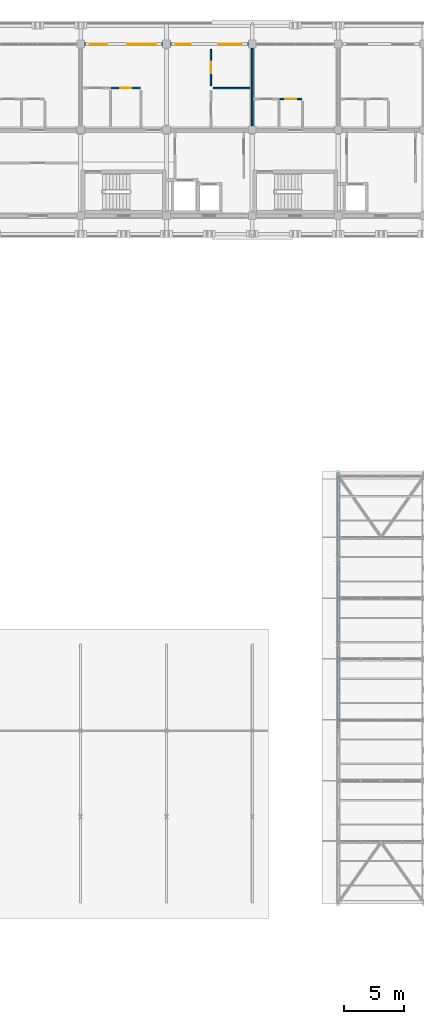
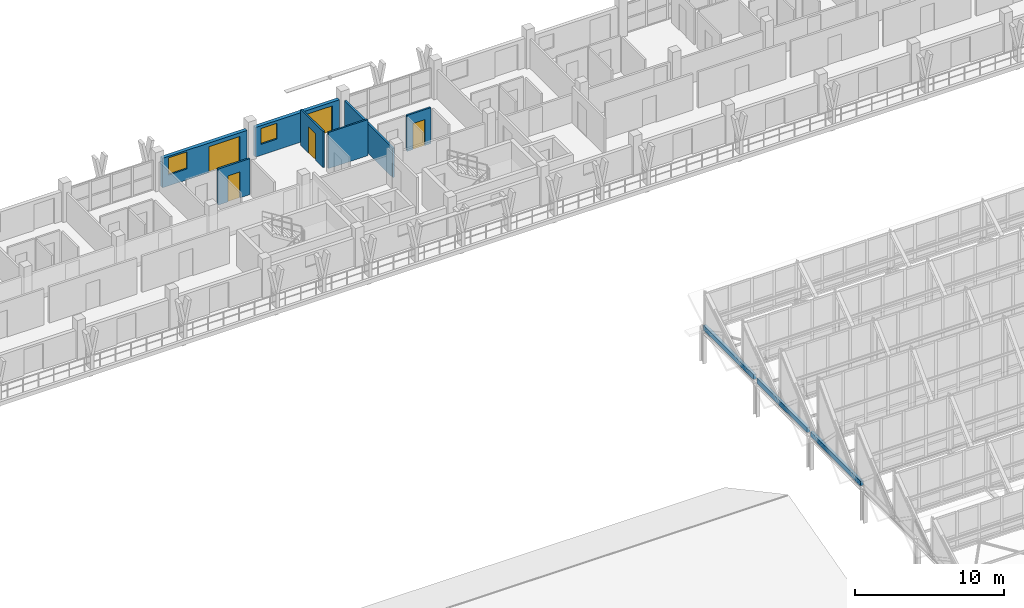
# One storey, part 123 of 157: 10 walls, 5 doors, 2 windows, 7 openings.
"""IFC4 building model written with IfcOpenShell, lengths in metres."""

from ifc_helpers import new_model, si_unit, direction, frame, frame_2d, origin, place, context, subcontext, project, spatial, rectangle, extrude, material, layer, layer_set, type_object, element, fill, save


model = new_model("IFC4")

# Units and contexts
model_context = context("Model", 3, precision=1e-05, world=origin(), true_north=direction((0.0, 1.0)))
body_context = subcontext(model_context, "Body", "Model", "MODEL_VIEW")
ifc_project = project(units=[si_unit("LENGTHUNIT", "METRE"), si_unit("AREAUNIT", "SQUARE_METRE"), si_unit("VOLUMEUNIT", "CUBIC_METRE"), si_unit("PLANEANGLEUNIT", "RADIAN"), si_unit("MASSUNIT", "GRAM", prefix="KILO")], contexts=[model_context])

# Site, building, storey
site_placement = place(None, origin())
site = spatial("IfcSite", under=ifc_project, at=site_placement, CompositionType="ELEMENT")
building_placement = place(site_placement, origin())
building = spatial("IfcBuilding", under=site, at=building_placement, Name="Suanplinth Sawtooth Commons", CompositionType="ELEMENT")
storey_placement = place(building_placement, frame((0.0, 0.0, 9.0)))
storey = spatial("IfcBuildingStorey", under=building, at=storey_placement, Name="L02", CompositionType="ELEMENT", Elevation=9.0)

# Wall, openings, door, window
ifc_material_1 = material(Name="Precast concrete C40/50", Category="concrete")
ifc_layer_1 = layer(ifc_material_1, 0.280029296875, Name="Insulated precast architectural facade wall 280mm")
ifc_layer_set_1 = layer_set([ifc_layer_1], Name="Precast concrete C40/50")
wall_type_1 = type_object("IfcWallType", Name="W-EX01", PredefinedType="ELEMENTEDWALL", material=ifc_layer_set_1)
wall_1_placement = place(storey_placement, frame((43.52490234375, 122.39990234375, 0.0), z_axis=(0.0, 0.0, 1.0), x_axis=(1.0, 0.0, 0.0)))
wall_1 = element("IfcWall", 1, at=wall_1_placement, inside=storey, type_object=wall_type_1, Name="Facade Wall W-L02-A-N-6", PredefinedType="ELEMENTEDWALL", context=body_context, shape_type="SweptSolid", body=[
    extrude(rectangle(XDim=6.550048828125, YDim=0.280029296875, at=frame_2d((3.27490234375, 0.0))), origin(), (0.0, 0.0, 1.0), 2.425048828125),
])
opening_1_placement = place(wall_1_placement, frame((3.60009765625, 0.0, 0.0)))
opening_1 = element("IfcOpeningElement", 2, at=opening_1_placement, cuts=wall_1, Name="Opening ED0139", PredefinedType="OPENING", context=body_context, shape_type="SweptSolid", body=[
    extrude(rectangle(XDim=2.39990234375, YDim=2.1201171875, at=frame_2d((1.199951171875, 1.06005859375))), frame((0.0, 0.15478515625, 0.0), z_axis=(0.0, -1.0, 0.0), x_axis=(1.0, 0.0, 0.0)), (0.0, 0.0, 1.0), 0.309814453125),
])
opening_2_placement = place(wall_1_placement, frame((0.449951171875, 0.0, 0.89990234375)))
opening_2 = element("IfcOpeningElement", 3, at=opening_2_placement, cuts=wall_1, Name="Opening W0254", PredefinedType="OPENING", context=body_context, shape_type="SweptSolid", body=[
    extrude(rectangle(XDim=1.449951171875, YDim=1.39990234375, at=frame_2d((0.72509765625, 0.699951171875))), frame((0.0, 0.15478515625, 0.0), z_axis=(0.0, -1.0, 0.0), x_axis=(1.0, 0.0, 0.0)), (0.0, 0.0, 1.0), 0.309814453125),
])
ifc_material_2 = material(Name="Anodized aluminium and low-E glass", Category="aluminium")
door_type_1 = type_object("IfcDoorType", Name="SD-04", OperationType="DOUBLE_DOOR_SLIDING", PredefinedType="DOOR", material=ifc_material_2)
door_1_placement = place(opening_1_placement, frame((2.39990234375, 0.0, 0.0), z_axis=(0.0, 0.0, 1.0), x_axis=(-1.0, 0.0, 0.0)))
door_1 = element("IfcDoor", 4, at=door_1_placement, inside=storey, type_object=door_type_1, Name="Balcony Sliding Door L02-A-N-6", OperationType="DOUBLE_DOOR_SLIDING", OverallHeight=2.1201171875, OverallWidth=2.39990234375, PredefinedType="DOOR", context=body_context, shape_type="SweptSolid", body=[
    extrude(rectangle(XDim=2.39990234375, YDim=2.1201171875, at=frame_2d((1.199951171875, 1.06005859375))), frame((0.0, 0.02490234375, 0.0), z_axis=(0.0, -1.0, 0.0), x_axis=(1.0, 0.0, 0.0)), (0.0, 0.0, 1.0), 0.050048828125),
])
fill(opening_1, door_1)
ifc_material_3 = material(Name="Thermally broken aluminium and low-E double glazing", Category="aluminium")
window_type_1 = type_object("IfcWindowType", Name="WN-16", PartitioningType="DOUBLE_PANEL_VERTICAL", PredefinedType="WINDOW", material=ifc_material_3)
window_1_placement = place(opening_2_placement, origin())
window_1 = element("IfcWindow", 5, at=window_1_placement, inside=storey, type_object=window_type_1, Name="Window L02-A-N-6", OverallHeight=1.39990234375, OverallWidth=1.449951171875, PartitioningType="DOUBLE_PANEL_VERTICAL", PredefinedType="WINDOW", context=body_context, shape_type="SweptSolid", body=[
    extrude(rectangle(XDim=1.449951171875, YDim=1.39990234375, at=frame_2d((0.72509765625, 0.699951171875))), frame((0.0, 0.030029296875, 0.0), z_axis=(0.0, -1.0, 0.0), x_axis=(1.0, 0.0, 0.0)), (0.0, 0.0, 1.0), 0.06005859375),
])
fill(opening_2, window_1)

wall_2_placement = place(storey_placement, frame((50.72509765625, 122.39990234375, 0.0), z_axis=(0.0, 0.0, 1.0), x_axis=(1.0, 0.0, 0.0)))
wall_2 = element("IfcWall", 6, at=wall_2_placement, inside=storey, type_object=wall_type_1, Name="Facade Wall W-L02-A-N-7", PredefinedType="ELEMENTEDWALL", context=body_context, shape_type="SweptSolid", body=[
    extrude(rectangle(XDim=6.5498046875, YDim=0.280029296875, at=frame_2d((3.27490234375, 0.0))), origin(), (0.0, 0.0, 1.0), 2.425048828125),
])
opening_3_placement = place(wall_2_placement, frame((4.0, 0.0, 0.0)))
opening_3 = element("IfcOpeningElement", 7, at=opening_3_placement, cuts=wall_2, Name="Opening ED0140", PredefinedType="OPENING", context=body_context, shape_type="SweptSolid", body=[
    extrude(rectangle(XDim=2.0, YDim=2.1201171875, at=frame_2d((1.0, 1.06005859375))), frame((0.0, 0.15478515625, 0.0), z_axis=(0.0, -1.0, 0.0), x_axis=(1.0, 0.0, 0.0)), (0.0, 0.0, 1.0), 0.309814453125),
])
opening_4_placement = place(wall_2_placement, frame((0.449951171875, 0.0, 0.89990234375)))
opening_4 = element("IfcOpeningElement", 8, at=opening_4_placement, cuts=wall_2, Name="Opening W0256", PredefinedType="OPENING", context=body_context, shape_type="SweptSolid", body=[
    extrude(rectangle(XDim=1.25, YDim=1.300048828125, at=frame_2d((0.625, 0.64990234375))), frame((0.0, 0.15478515625, 0.0), z_axis=(0.0, -1.0, 0.0), x_axis=(1.0, 0.0, 0.0)), (0.0, 0.0, 1.0), 0.309814453125),
])
door_type_2 = type_object("IfcDoorType", Name="SD-06", OperationType="DOUBLE_DOOR_SLIDING", PredefinedType="DOOR", material=ifc_material_2)
door_2_placement = place(opening_3_placement, frame((2.0, 0.0, 0.0), z_axis=(0.0, 0.0, 1.0), x_axis=(-1.0, 0.0, 0.0)))
door_2 = element("IfcDoor", 9, at=door_2_placement, inside=storey, type_object=door_type_2, Name="Balcony Sliding Door L02-A-N-7", OperationType="DOUBLE_DOOR_SLIDING", OverallHeight=2.1201171875, OverallWidth=2.0, PredefinedType="DOOR", context=body_context, shape_type="SweptSolid", body=[
    extrude(rectangle(XDim=2.0, YDim=2.1201171875, at=frame_2d((1.0, 1.06005859375))), frame((0.0, 0.02490234375, 0.0), z_axis=(0.0, -1.0, 0.0), x_axis=(1.0, 0.0, 0.0)), (0.0, 0.0, 1.0), 0.050048828125),
])
fill(opening_3, door_2)
window_type_2 = type_object("IfcWindowType", Name="WN-17", PartitioningType="SINGLE_PANEL", PredefinedType="WINDOW", material=ifc_material_3)
window_2_placement = place(opening_4_placement, origin())
window_2 = element("IfcWindow", 10, at=window_2_placement, inside=storey, type_object=window_type_2, Name="Window L02-A-N-7", OverallHeight=1.300048828125, OverallWidth=1.25, PartitioningType="SINGLE_PANEL", PredefinedType="WINDOW", context=body_context, shape_type="SweptSolid", body=[
    extrude(rectangle(XDim=1.25, YDim=1.300048828125, at=frame_2d((0.625, 0.64990234375))), frame((0.0, 0.030029296875, 0.0), z_axis=(0.0, -1.0, 0.0), x_axis=(1.0, 0.0, 0.0)), (0.0, 0.0, 1.0), 0.06005859375),
])
fill(opening_4, window_2)

# Walls
ifc_layer_2 = layer(ifc_material_1, 0.219970703125, Name="Civic pavilion insulated facade wall 220mm")
ifc_layer_set_2 = layer_set([ifc_layer_2], Name="Precast concrete C40/50")
wall_type_2 = type_object("IfcWallType", Name="W-EX05", PredefinedType="ELEMENTEDWALL", material=ifc_layer_set_2)
for number, where, z_axis, x_axis, name in (
    (11, (64.800048828125, 65.02490234375, 2.81005859375), (0.0, 0.0, 1.0), (0.0, 1.0, 0.0), "Hall W Wall L02-9"),
    (12, (64.800048828125, 72.22509765625, 2.81005859375), (0.0, 0.0, 1.0), (0.0, 1.0, 0.0), "Hall W Wall L02-10"),
    (13, (64.800048828125, 79.425048828125, 2.81005859375), (0.0, 0.0, 1.0), (0.0, 1.0, 0.0), "Hall W Wall L02-11"),
):
    element("IfcWall", number, at=place(storey_placement, frame(where, z_axis=z_axis, x_axis=x_axis)), inside=storey, type_object=wall_type_2, Name=name, PredefinedType="ELEMENTEDWALL", context=body_context, shape_type="SweptSolid", body=[
        extrude(rectangle(XDim=6.75, YDim=0.219970703125, at=frame_2d((3.375, 0.0))), origin(), (0.0, 0.0, 1.0), 0.389892578125),
    ])
ifc_layer_3 = layer(ifc_material_1, 0.14990234375, Name="Acoustic precast party demising wall 150mm")
ifc_layer_set_3 = layer_set([ifc_layer_3], Name="Precast concrete C40/50")
wall_type_3 = type_object("IfcWallType", Name="W-FW02", PredefinedType="PARTITIONING", material=ifc_layer_set_3)
wall_3_placement = place(storey_placement, frame((57.60009765625, 115.554931640625, 0.0), z_axis=(0.0, 0.0, 1.0), x_axis=(0.0, 1.0, 0.0)))
element("IfcWall", 14, at=wall_3_placement, inside=storey, type_object=wall_type_3, Name="W-A-L02-U06-PTY", PredefinedType="PARTITIONING", context=body_context, shape_type="SweptSolid", body=[
    extrude(rectangle(XDim=6.489990234375, YDim=0.14990234375, at=frame_2d((3.2451171875, 0.0))), origin(), (0.0, 0.0, 1.0), 2.39501953125),
])

# Wall, opening, door
ifc_material_4 = material(Name="Gypsum plasterboard on steel stud", Category="steel")
ifc_layer_4 = layer(ifc_material_4, 0.139892578125, Name="Fire-rated kitchen partition 140mm")
ifc_layer_set_4 = layer_set([ifc_layer_4], Name="Gypsum plasterboard on steel stud")
wall_type_4 = type_object("IfcWallType", Name="W-PT01", PredefinedType="PARTITIONING", material=ifc_layer_set_4)
wall_4_placement = place(storey_placement, frame((45.75, 118.7099609375, 0.0), z_axis=(0.0, 0.0, 1.0), x_axis=(1.0, 0.0, 0.0)))
wall_4 = element("IfcWall", 15, at=wall_4_placement, inside=storey, type_object=wall_type_4, Name="W-A-L02-U06-KIT1", PredefinedType="PARTITIONING", context=body_context, shape_type="SweptSolid", body=[
    extrude(rectangle(XDim=2.449951171875, YDim=0.139892578125, at=frame_2d((1.22509765625, 0.0))), origin(), (0.0, 0.0, 1.0), 2.9599609375),
])
opening_5_placement = place(wall_4_placement, frame((0.760009765625, 0.0, 0.0)))
opening_5 = element("IfcOpeningElement", 16, at=opening_5_placement, cuts=wall_4, Name="Opening D0707", PredefinedType="OPENING", context=body_context, shape_type="SweptSolid", body=[
    extrude(rectangle(XDim=0.929931640625, YDim=2.139892578125, at=frame_2d((0.46484375, 1.06982421875))), frame((0.0, 0.0849609375, 0.0), z_axis=(0.0, -1.0, 0.0), x_axis=(1.0, 0.0, 0.0)), (0.0, 0.0, 1.0), 0.169677734375),
])
ifc_material_5 = material(Name="Teak hardwood", Category="wood")
door_type_3 = type_object("IfcDoorType", Name="D-19", OperationType="NOTDEFINED", PredefinedType="DOOR", material=ifc_material_5)
door_3_placement = place(opening_5_placement, frame((0.929931640625, 0.0, 0.0), z_axis=(0.0, 0.0, 1.0), x_axis=(-1.0, 0.0, 0.0)))
door_3 = element("IfcDoor", 17, at=door_3_placement, inside=storey, type_object=door_type_3, Name="Kitchen Door D0707", OperationType="SINGLE_SWING_LEFT", OverallHeight=2.139892578125, OverallWidth=0.929931640625, PredefinedType="DOOR", context=body_context, shape_type="SweptSolid", body=[
    extrude(rectangle(XDim=0.929931640625, YDim=2.139892578125, at=frame_2d((0.46484375, 1.06982421875))), frame((0.0, 0.02490234375, 0.0), z_axis=(0.0, -1.0, 0.0), x_axis=(1.0, 0.0, 0.0)), (0.0, 0.0, 1.0), 0.050048828125),
])
fill(opening_5, door_3)

wall_5_placement = place(storey_placement, frame((59.89990234375, 117.800048828125, 0.0), z_axis=(0.0, 0.0, 1.0), x_axis=(1.0, 0.0, 0.0)))
wall_5 = element("IfcWall", 18, at=wall_5_placement, inside=storey, type_object=wall_type_4, Name="W-A-L02-U07-KIT1", PredefinedType="PARTITIONING", context=body_context, shape_type="SweptSolid", body=[
    extrude(rectangle(XDim=1.85009765625, YDim=0.139892578125, at=frame_2d((0.925048828125, 0.0))), origin(), (0.0, 0.0, 1.0), 2.9599609375),
])
opening_6_placement = place(wall_5_placement, frame((0.4599609375, 0.0, 0.0)))
opening_6 = element("IfcOpeningElement", 19, at=opening_6_placement, cuts=wall_5, Name="Opening D0712", PredefinedType="OPENING", context=body_context, shape_type="SweptSolid", body=[
    extrude(rectangle(XDim=0.929931640625, YDim=2.139892578125, at=frame_2d((0.46484375, 1.06982421875))), frame((0.0, 0.0849609375, 0.0), z_axis=(0.0, -1.0, 0.0), x_axis=(1.0, 0.0, 0.0)), (0.0, 0.0, 1.0), 0.169677734375),
])
door_4_placement = place(opening_6_placement, frame((0.929931640625, 0.0, 0.0), z_axis=(0.0, 0.0, 1.0), x_axis=(-1.0, 0.0, 0.0)))
door_4 = element("IfcDoor", 20, at=door_4_placement, inside=storey, type_object=door_type_3, Name="Kitchen Door D0712", OperationType="SINGLE_SWING_RIGHT", OverallHeight=2.139892578125, OverallWidth=0.929931640625, PredefinedType="DOOR", context=body_context, shape_type="SweptSolid", body=[
    extrude(rectangle(XDim=0.929931640625, YDim=2.139892578125, at=frame_2d((0.46484375, 1.06982421875))), frame((0.0, 0.02490234375, 0.0), z_axis=(0.0, -1.0, 0.0), x_axis=(1.0, 0.0, 0.0)), (0.0, 0.0, 1.0), 0.050048828125),
])
fill(opening_6, door_4)

ifc_layer_5 = layer(ifc_material_4, 0.1201171875, Name="Acoustic bedroom partition 120mm")
ifc_layer_set_5 = layer_set([ifc_layer_5], Name="Gypsum plasterboard on steel stud")
wall_type_5 = type_object("IfcWallType", Name="W-PT03", PredefinedType="PARTITIONING", material=ifc_layer_set_5)
wall_6_placement = place(storey_placement, frame((54.1201171875, 118.919921875, 0.0), z_axis=(0.0, 0.0, 1.0), x_axis=(0.0, 1.0, 0.0)))
wall_6 = element("IfcWall", 21, at=wall_6_placement, inside=storey, type_object=wall_type_5, Name="W-A-L02-U06-BED1", PredefinedType="PARTITIONING", context=body_context, shape_type="SweptSolid", body=[
    extrude(rectangle(XDim=3.0400390625, YDim=0.1201171875, at=frame_2d((1.52001953125, 0.0))), origin(), (0.0, 0.0, 1.0), 2.9599609375),
])
opening_7_placement = place(wall_6_placement, frame((1.044921875, 0.0, 0.0)))
opening_7 = element("IfcOpeningElement", 22, at=opening_7_placement, cuts=wall_6, Name="Opening D0708", PredefinedType="OPENING", context=body_context, shape_type="SweptSolid", body=[
    extrude(rectangle(XDim=0.949951171875, YDim=2.14990234375, at=frame_2d((0.47509765625, 1.074951171875))), frame((0.0, 0.074951171875, 0.0), z_axis=(0.0, -1.0, 0.0), x_axis=(1.0, 0.0, 0.0)), (0.0, 0.0, 1.0), 0.14990234375),
])
door_type_4 = type_object("IfcDoorType", Name="D-03", OperationType="NOTDEFINED", PredefinedType="DOOR", material=ifc_material_5)
door_5_placement = place(opening_7_placement, frame((0.949951171875, 0.0, 0.0), z_axis=(0.0, 0.0, 1.0), x_axis=(-1.0, 0.0, 0.0)))
door_5 = element("IfcDoor", 23, at=door_5_placement, inside=storey, type_object=door_type_4, Name="Bedroom Door D0708", OperationType="SINGLE_SWING_RIGHT", OverallHeight=2.14990234375, OverallWidth=0.949951171875, PredefinedType="DOOR", context=body_context, shape_type="SweptSolid", body=[
    extrude(rectangle(XDim=0.949951171875, YDim=2.14990234375, at=frame_2d((0.47509765625, 1.074951171875))), frame((0.0, 0.02490234375, 0.0), z_axis=(0.0, -1.0, 0.0), x_axis=(1.0, 0.0, 0.0)), (0.0, 0.0, 1.0), 0.050048828125),
])
fill(opening_7, door_5)

# Wall
ifc_layer_6 = layer(ifc_material_4, 0.125, Name="Acoustic study partition 125mm")
ifc_layer_set_6 = layer_set([ifc_layer_6], Name="Gypsum plasterboard on steel stud")
wall_type_6 = type_object("IfcWallType", Name="W-PT06", PredefinedType="PARTITIONING", material=ifc_layer_set_6)
wall_7_placement = place(storey_placement, frame((54.320068359375, 118.699951171875, 0.0), z_axis=(0.0, 0.0, 1.0), x_axis=(1.0, 0.0, 0.0)))
element("IfcWall", 24, at=wall_7_placement, inside=storey, type_object=wall_type_6, Name="W-A-L02-U06-BEDDIV", PredefinedType="PARTITIONING", context=body_context, shape_type="SweptSolid", body=[
    extrude(rectangle(XDim=3.059814453125, YDim=0.125, at=frame_2d((1.52978515625, 0.0))), origin(), (0.0, 0.0, 1.0), 2.9599609375),
])

save(model, "model.ifc")
